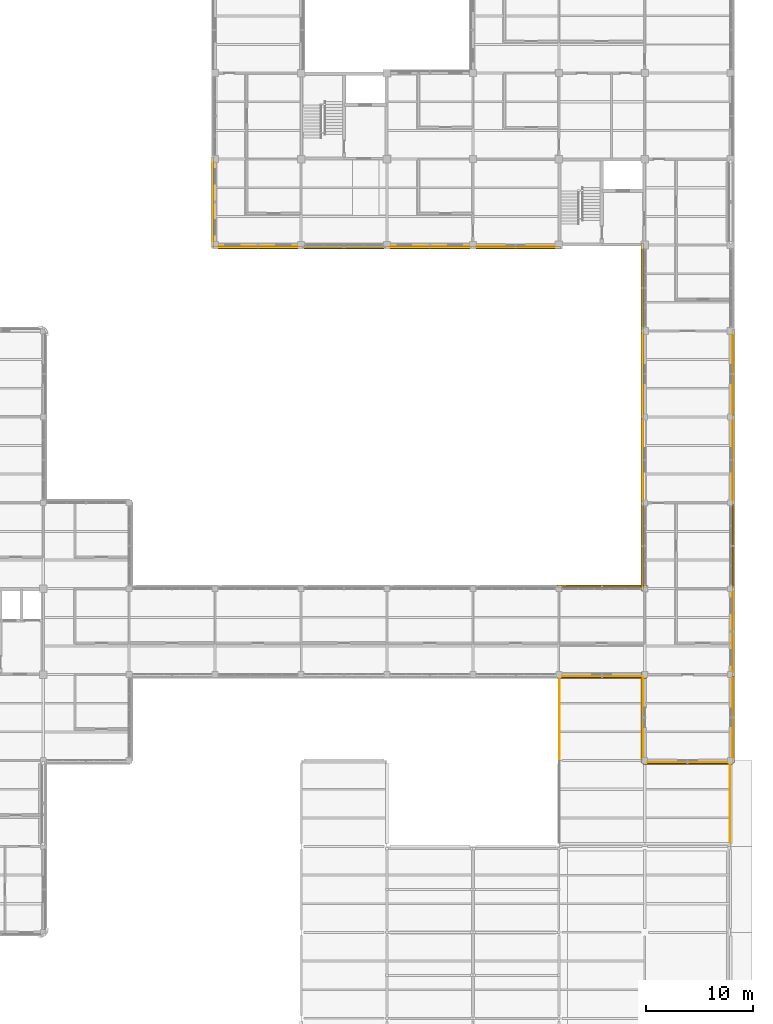
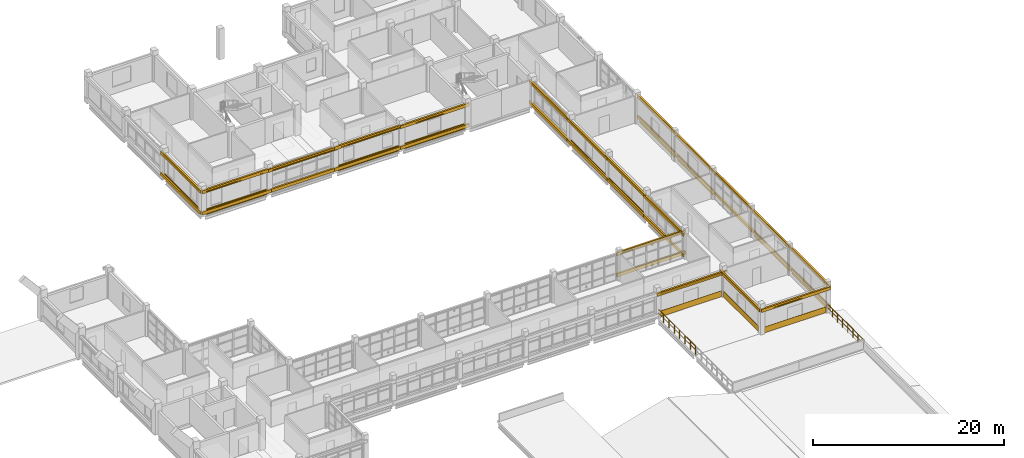
# One storey, part 89 of 92: 46 coverings, 18 shading devices, 2 railings.
"""IFC4 building model written with IfcOpenShell, lengths in metres."""

from ifc_helpers import new_model, si_unit, derived_unit, direction, frame, origin, origin_2d, place, context, subcontext, project, spatial, rectangle, circle, extrude, material, layer, layer_set, material_profile, profile_set, type_object, element, save


model = new_model("IFC4")

# Units and contexts
model_context = context("Model", 3, precision=1e-05, world=origin(), true_north=direction((0.0, 1.0)))
body_context = subcontext(model_context, "Body", "Model", "MODEL_VIEW")
ifc_project = project(units=[si_unit("LENGTHUNIT", "METRE"), si_unit("AREAUNIT", "SQUARE_METRE"), si_unit("VOLUMEUNIT", "CUBIC_METRE"), si_unit("PLANEANGLEUNIT", "RADIAN"), si_unit("MASSUNIT", "GRAM", prefix="KILO"), derived_unit("THERMALTRANSMITTANCEUNIT", [(si_unit("MASSUNIT", "GRAM", prefix="KILO"), 1), (si_unit("TIMEUNIT", "SECOND"), -3), (si_unit("THERMODYNAMICTEMPERATUREUNIT", "KELVIN"), -1)])], contexts=[model_context])

# Site, building, storey
site_placement = place(None, origin())
site = spatial("IfcSite", under=ifc_project, at=site_placement, CompositionType="ELEMENT")
building_placement = place(site_placement, origin())
building = spatial("IfcBuilding", under=site, at=building_placement, Name="Veyamyaing Civic Hall", CompositionType="ELEMENT")
storey_placement = place(building_placement, frame((0.0, 0.0, 17.820068359375)))
storey = spatial("IfcBuildingStorey", under=building, at=storey_placement, Name="L04", CompositionType="ELEMENT", Elevation=17.820068359375)

# Coverings
ifc_material_1 = material(Name="Buff sandstone ashlar cladding", Category="masonry")
ifc_layer_1 = layer(ifc_material_1, 0.050048828125, Name="Buff sandstone ashlar cladding")
ifc_layer_set_1 = layer_set([ifc_layer_1], Name="Buff sandstone ashlar cladding")
covering_type_1 = type_object("IfcCoveringType", Name="CL-01", PredefinedType="CLADDING", material=ifc_layer_set_1)
for number, where, z_axis, x_axis, name in (
    (1, (132.0, 87.839111328125, 0.044921875), (0.0, 0.0, 1.0), (1.0, 0.0, 0.0), "Facade spandrel cladding CL-01 L04 S 17.12"),
    (2, (127.839111328125, 92.0, 0.044921875), (0.0, 0.0, 1.0), (0.0, 1.0, 0.0), "Facade spandrel cladding CL-01 L04 W 17.12"),
    (3, (148.0, 87.839111328125, 0.044921875), (0.0, 0.0, 1.0), (1.0, 0.0, 0.0), "Facade spandrel cladding CL-01 L04 S 19.12"),
):
    element("IfcCovering", number, at=place(storey_placement, frame(where, z_axis=z_axis, x_axis=x_axis)), inside=storey, type_object=covering_type_1, Name=name, PredefinedType="CLADDING", context=body_context, shape_type="SweptSolid", body=[
        extrude(rectangle(XDim=7.300048828125, YDim=0.050048828125, at=origin_2d()), origin(), (0.0, 0.0, 1.0), 0.75),
    ])
for number, where, z_axis, x_axis, name in (
    (4, (176.160888671875, 52.0, 0.044921875), (0.0, 0.0, 1.0), (0.0, 1.0, 0.0), "Facade spandrel cladding CL-01 L04 E 22.7"),
    (5, (167.839111328125, 68.0, 0.044921875), (0.0, 0.0, 1.0), (0.0, 1.0, 0.0), "Facade spandrel cladding CL-01 L04 W 22.9"),
    (6, (176.160888671875, 68.0, 0.044921875), (0.0, 0.0, 1.0), (0.0, 1.0, 0.0), "Facade spandrel cladding CL-01 L04 E 22.9"),
):
    element("IfcCovering", number, at=place(storey_placement, frame(where, z_axis=z_axis, x_axis=x_axis)), inside=storey, type_object=covering_type_1, Name=name, PredefinedType="CLADDING", context=body_context, shape_type="SweptSolid", body=[
        extrude(rectangle(XDim=7.39990234375, YDim=0.050048828125, at=origin_2d()), origin(), (0.0, 0.0, 1.0), 0.75),
    ])
ifc_material_2 = material(Name="Turquoise glazed ceramic tile cladding", Category="masonry")
ifc_layer_2 = layer(ifc_material_2, 0.034912109375, Name="Turquoise glazed ceramic tile cladding")
ifc_layer_set_2 = layer_set([ifc_layer_2], Name="Turquoise glazed ceramic tile cladding")
covering_type_2 = type_object("IfcCoveringType", Name="CL-02", PredefinedType="CLADDING", material=ifc_layer_set_2)
covering_placement = place(storey_placement, frame((155.987548828125, 87.846435546875, 0.044921875), z_axis=(0.0, 0.0, 1.0), x_axis=(1.0, 0.0, 0.0)))
element("IfcCovering", 7, at=covering_placement, inside=storey, type_object=covering_type_2, Name="Facade spandrel cladding CL-02 L04 S 20.12", PredefinedType="CLADDING", context=body_context, shape_type="SweptSolid", body=[
    extrude(rectangle(XDim=7.27490234375, YDim=0.034912109375, at=origin_2d()), origin(), (0.0, 0.0, 1.0), 0.75),
])
for number, where, z_axis, x_axis, name in (
    (8, (164.0, 47.846435546875, 0.044921875), (0.0, 0.0, 1.0), (1.0, 0.0, 0.0), "Facade spandrel cladding CL-02 L04 S 21.7"),
    (9, (172.0, 39.846435546875, 0.044921875), (0.0, 0.0, 1.0), (1.0, 0.0, 0.0), "Facade spandrel cladding CL-02 L04 S 22.6"),
    (10, (167.846435546875, 44.0, 0.044921875), (0.0, 0.0, 1.0), (0.0, 1.0, 0.0), "Facade spandrel cladding CL-02 L04 W 22.6"),
    (11, (176.153564453125, 44.0, 0.044921875), (0.0, 0.0, 1.0), (0.0, 1.0, 0.0), "Facade spandrel cladding CL-02 L04 E 22.6"),
):
    element("IfcCovering", number, at=place(storey_placement, frame(where, z_axis=z_axis, x_axis=x_axis)), inside=storey, type_object=covering_type_2, Name=name, PredefinedType="CLADDING", context=body_context, shape_type="SweptSolid", body=[
        extrude(rectangle(XDim=7.39990234375, YDim=0.034912109375, at=origin_2d()), origin(), (0.0, 0.0, 1.0), 0.75),
    ])
for number, where, z_axis, x_axis, name in (
    (12, (167.846435546875, 75.97509765625, 0.044921875), (0.0, 0.0, 1.0), (0.0, 1.0, 0.0), "Facade spandrel cladding CL-02 L04 W 22.10"),
    (13, (176.153564453125, 75.97509765625, 0.044921875), (0.0, 0.0, 1.0), (0.0, 1.0, 0.0), "Facade spandrel cladding CL-02 L04 E 22.10"),
):
    element("IfcCovering", number, at=place(storey_placement, frame(where, z_axis=z_axis, x_axis=x_axis)), inside=storey, type_object=covering_type_2, Name=name, PredefinedType="CLADDING", context=body_context, shape_type="SweptSolid", body=[
        extrude(rectangle(XDim=7.35009765625, YDim=0.034912109375, at=origin_2d()), origin(), (0.0, 0.0, 1.0), 0.75),
    ])
ifc_material_3 = material(Name="White powder-coated aluminium 6063-T6", Category="aluminium")
ifc_layer_3 = layer(ifc_material_3, 0.2099609375, Name="White powder-coated aluminium 6063-T6")
ifc_layer_set_3 = layer_set([ifc_layer_3], Name="White powder-coated aluminium 6063-T6")
covering_type_3 = type_object("IfcCoveringType", Name="CL-03", PredefinedType="CLADDING", material=ifc_layer_set_3)
for number, where, z_axis, x_axis, name in (
    (14, (132.0, 87.760009765625, 2.9970703125), (0.0, 0.0, 1.0), (1.0, 0.0, 0.0), "Continuous white head fascia ribbon CL-03 L04 S 17.12"),
    (15, (132.0, 87.760009765625, 0.280029296875), (0.0, 0.0, 1.0), (1.0, 0.0, 0.0), "Continuous white sill fascia ribbon CL-03 L04 S 17.12"),
    (16, (127.760009765625, 92.0, 2.9970703125), (0.0, 0.0, 1.0), (0.0, 1.0, 0.0), "Continuous white head fascia ribbon CL-03 L04 W 17.12"),
    (17, (127.760009765625, 92.0, 0.280029296875), (0.0, 0.0, 1.0), (0.0, 1.0, 0.0), "Continuous white sill fascia ribbon CL-03 L04 W 17.12"),
    (18, (140.0, 87.760009765625, 2.929931640625), (0.0, 0.0, 1.0), (1.0, 0.0, 0.0), "Continuous white head fascia ribbon CL-03 L04 S 18.12"),
    (19, (140.0, 87.760009765625, 0.280029296875), (0.0, 0.0, 1.0), (1.0, 0.0, 0.0), "Continuous white sill fascia ribbon CL-03 L04 S 18.12"),
    (20, (148.0, 87.760009765625, 2.993896484375), (0.0, 0.0, 1.0), (1.0, 0.0, 0.0), "Continuous white head fascia ribbon CL-03 L04 S 19.12"),
    (21, (148.0, 87.760009765625, 0.280029296875), (0.0, 0.0, 1.0), (1.0, 0.0, 0.0), "Continuous white sill fascia ribbon CL-03 L04 S 19.12"),
    (22, (156.0, 87.760009765625, 2.93408203125), (0.0, 0.0, 1.0), (1.0, 0.0, 0.0), "Continuous white head fascia ribbon CL-03 L04 S 20.12"),
    (23, (156.0, 87.760009765625, 0.280029296875), (0.0, 0.0, 1.0), (1.0, 0.0, 0.0), "Continuous white sill fascia ribbon CL-03 L04 S 20.12"),
    (24, (164.0, 47.760009765625, 2.908935546875), (0.0, 0.0, 1.0), (1.0, 0.0, 0.0), "Continuous white head fascia ribbon CL-03 L04 S 21.7"),
    (25, (164.0, 56.239990234375, 2.971923828125), (0.0, 0.0, 1.0), (1.0, 0.0, 0.0), "Continuous white head fascia ribbon CL-03 L04 N 21.7"),
    (26, (164.0, 56.239990234375, 0.280029296875), (0.0, 0.0, 1.0), (1.0, 0.0, 0.0), "Continuous white sill fascia ribbon CL-03 L04 N 21.7"),
    (27, (172.0, 39.760009765625, 2.908935546875), (0.0, 0.0, 1.0), (1.0, 0.0, 0.0), "Continuous white head fascia ribbon CL-03 L04 S 22.6"),
    (28, (167.760009765625, 44.0, 2.908935546875), (0.0, 0.0, 1.0), (0.0, 1.0, 0.0), "Continuous white head fascia ribbon CL-03 L04 W 22.6"),
    (29, (176.239990234375, 44.0, 2.971923828125), (0.0, 0.0, 1.0), (0.0, 1.0, 0.0), "Continuous white head fascia ribbon CL-03 L04 E 22.6"),
    (30, (176.239990234375, 44.0, 0.280029296875), (0.0, 0.0, 1.0), (0.0, 1.0, 0.0), "Continuous white sill fascia ribbon CL-03 L04 E 22.6"),
    (31, (176.239990234375, 52.0, 2.905029296875), (0.0, 0.0, 1.0), (0.0, 1.0, 0.0), "Continuous white head fascia ribbon CL-03 L04 E 22.7"),
    (32, (176.239990234375, 52.0, 0.280029296875), (0.0, 0.0, 1.0), (0.0, 1.0, 0.0), "Continuous white sill fascia ribbon CL-03 L04 E 22.7"),
    (33, (167.760009765625, 60.0, 2.905029296875), (0.0, 0.0, 1.0), (0.0, 1.0, 0.0), "Continuous white head fascia ribbon CL-03 L04 W 22.8"),
    (34, (167.760009765625, 60.0, 0.280029296875), (0.0, 0.0, 1.0), (0.0, 1.0, 0.0), "Continuous white sill fascia ribbon CL-03 L04 W 22.8"),
    (35, (176.239990234375, 60.0, 2.968994140625), (0.0, 0.0, 1.0), (0.0, 1.0, 0.0), "Continuous white head fascia ribbon CL-03 L04 E 22.8"),
    (36, (176.239990234375, 60.0, 0.280029296875), (0.0, 0.0, 1.0), (0.0, 1.0, 0.0), "Continuous white sill fascia ribbon CL-03 L04 E 22.8"),
    (37, (167.760009765625, 68.0, 2.968994140625), (0.0, 0.0, 1.0), (0.0, 1.0, 0.0), "Continuous white head fascia ribbon CL-03 L04 W 22.9"),
    (38, (167.760009765625, 68.0, 0.280029296875), (0.0, 0.0, 1.0), (0.0, 1.0, 0.0), "Continuous white sill fascia ribbon CL-03 L04 W 22.9"),
    (39, (176.239990234375, 68.0, 2.908935546875), (0.0, 0.0, 1.0), (0.0, 1.0, 0.0), "Continuous white head fascia ribbon CL-03 L04 E 22.9"),
    (40, (176.239990234375, 68.0, 0.280029296875), (0.0, 0.0, 1.0), (0.0, 1.0, 0.0), "Continuous white sill fascia ribbon CL-03 L04 E 22.9"),
    (41, (167.760009765625, 76.0, 2.928955078125), (0.0, 0.0, 1.0), (0.0, 1.0, 0.0), "Continuous white head fascia ribbon CL-03 L04 W 22.10"),
    (42, (167.760009765625, 76.0, 0.280029296875), (0.0, 0.0, 1.0), (0.0, 1.0, 0.0), "Continuous white sill fascia ribbon CL-03 L04 W 22.10"),
    (43, (176.239990234375, 76.0, 2.991943359375), (0.0, 0.0, 1.0), (0.0, 1.0, 0.0), "Continuous white head fascia ribbon CL-03 L04 E 22.10"),
    (44, (176.239990234375, 76.0, 0.280029296875), (0.0, 0.0, 1.0), (0.0, 1.0, 0.0), "Continuous white sill fascia ribbon CL-03 L04 E 22.10"),
    (45, (167.760009765625, 84.0, 2.991943359375), (0.0, 0.0, 1.0), (0.0, 1.0, 0.0), "Continuous white head fascia ribbon CL-03 L04 W 22.11"),
    (46, (167.760009765625, 84.0, 0.280029296875), (0.0, 0.0, 1.0), (0.0, 1.0, 0.0), "Continuous white sill fascia ribbon CL-03 L04 W 22.11"),
):
    element("IfcCovering", number, at=place(storey_placement, frame(where, z_axis=z_axis, x_axis=x_axis)), inside=storey, type_object=covering_type_3, Name=name, PredefinedType="CLADDING", context=body_context, shape_type="SweptSolid", body=[
        extrude(rectangle(XDim=8.360107421875, YDim=0.2099609375, at=origin_2d()), origin(), (0.0, 0.0, 1.0), 0.39990234375),
    ])

# Railings
ifc_material_4 = material(Name="Steel S355J2", Category="steel")
railing_type = type_object("IfcRailingType", Name="RL-01", PredefinedType="BALUSTRADE", material=ifc_material_4)
railing_1_placement = place(storey_placement, frame((160.080078125, 40.080078125, 0.0)))
element("IfcRailing", 47, at=railing_1_placement, inside=storey, type_object=railing_type, Name="Planted terrace balustrade RL-01 L04.2", PredefinedType="BALUSTRADE", context=body_context, shape_type="SweptSolid", body=[
    extrude(circle(Radius=0.02392578125, at=origin_2d()), frame((0.0, 0.0, 1.076171875), z_axis=(0.0, 1.0, 0.0), x_axis=(-1.0, 0.0, 0.0)), (0.0, 0.0, 1.0), 7.83984375),
    extrude(circle(Radius=0.01416015625, at=origin_2d()), frame((0.0, 0.0, 0.572021484375), z_axis=(0.0, 1.0, 0.0), x_axis=(-1.0, 0.0, 0.0)), (0.0, 0.0, 1.0), 7.83984375),
    extrude(circle(Radius=0.02099609375, at=origin_2d()), origin(), (0.0, 0.0, 1.0), 1.052001953125),
    extrude(circle(Radius=0.02099609375, at=origin_2d()), frame((0.0, 1.119873046875, 0.0)), (0.0, 0.0, 1.0), 1.052001953125),
    extrude(circle(Radius=0.02099609375, at=origin_2d()), frame((0.0, 2.239990234375, 0.0)), (0.0, 0.0, 1.0), 1.052001953125),
    extrude(circle(Radius=0.02099609375, at=origin_2d()), frame((0.0, 3.35986328125, 0.0)), (0.0, 0.0, 1.0), 1.052001953125),
    extrude(circle(Radius=0.02099609375, at=origin_2d()), frame((0.0, 4.47998046875, 0.0)), (0.0, 0.0, 1.0), 1.052001953125),
    extrude(circle(Radius=0.02099609375, at=origin_2d()), frame((0.0, 5.599853515625, 0.0)), (0.0, 0.0, 1.0), 1.052001953125),
    extrude(circle(Radius=0.02099609375, at=origin_2d()), frame((0.0, 6.719970703125, 0.0)), (0.0, 0.0, 1.0), 1.052001953125),
    extrude(circle(Radius=0.02099609375, at=origin_2d()), frame((0.0, 7.83984375, 0.0)), (0.0, 0.0, 1.0), 1.052001953125),
])
railing_2_placement = place(storey_placement, frame((175.919921875, 32.360107421875, 0.0)))
element("IfcRailing", 48, at=railing_2_placement, inside=storey, type_object=railing_type, Name="Planted terrace balustrade RL-01 L04.3", PredefinedType="BALUSTRADE", context=body_context, shape_type="SweptSolid", body=[
    extrude(circle(Radius=0.02392578125, at=origin_2d()), frame((0.0, 0.0, 1.076171875), z_axis=(0.0, 1.0, 0.0), x_axis=(-1.0, 0.0, 0.0)), (0.0, 0.0, 1.0), 7.559814453125),
    extrude(circle(Radius=0.01416015625, at=origin_2d()), frame((0.0, 0.0, 0.572021484375), z_axis=(0.0, 1.0, 0.0), x_axis=(-1.0, 0.0, 0.0)), (0.0, 0.0, 1.0), 7.559814453125),
    extrude(circle(Radius=0.02099609375, at=origin_2d()), origin(), (0.0, 0.0, 1.0), 1.052001953125),
    extrude(circle(Radius=0.02099609375, at=origin_2d()), frame((0.0, 1.080078125, 0.0)), (0.0, 0.0, 1.0), 1.052001953125),
    extrude(circle(Radius=0.02099609375, at=origin_2d()), frame((0.0, 2.159912109375, 0.0)), (0.0, 0.0, 1.0), 1.052001953125),
    extrude(circle(Radius=0.02099609375, at=origin_2d()), frame((0.0, 3.239990234375, 0.0)), (0.0, 0.0, 1.0), 1.052001953125),
    extrude(circle(Radius=0.02099609375, at=origin_2d()), frame((0.0, 4.31982421875, 0.0)), (0.0, 0.0, 1.0), 1.052001953125),
    extrude(circle(Radius=0.02099609375, at=origin_2d()), frame((0.0, 5.39990234375, 0.0)), (0.0, 0.0, 1.0), 1.052001953125),
    extrude(circle(Radius=0.02099609375, at=origin_2d()), frame((0.0, 6.479736328125, 0.0)), (0.0, 0.0, 1.0), 1.052001953125),
    extrude(circle(Radius=0.02099609375, at=origin_2d()), frame((0.0, 7.559814453125, 0.0)), (0.0, 0.0, 1.0), 1.052001953125),
])

# Shading devices
ifc_material_profile = material_profile(ifc_material_3, circle(Radius=0.090087890625, at=origin_2d()), Name="SHADE-TUBE-180")
ifc_profile_set = profile_set([ifc_material_profile], Name="White powder-coated aluminium 6063-T6")
shading_device_type = type_object("IfcShadingDeviceType", Name="SH-02", PredefinedType="USERDEFINED", material=ifc_profile_set)
for number, where, z_axis, x_axis, name in (
    (49, (128.31005859375, 87.760009765625, 3.156982421875), (1.0, 0.0, 0.0), (0.0, 1.0, 0.0), "Horizontal white sunshade ribbon SH-02 L04 S 17.12"),
    (50, (127.760009765625, 88.31005859375, 3.156982421875), (0.0, 1.0, 0.0), (-1.0, 0.0, 0.0), "Horizontal white sunshade ribbon SH-02 L04 W 17.12"),
    (51, (136.31005859375, 87.760009765625, 3.08984375), (1.0, 0.0, 0.0), (0.0, 1.0, 0.0), "Horizontal white sunshade ribbon SH-02 L04 S 18.12"),
    (52, (144.31005859375, 87.760009765625, 3.154052734375), (1.0, 0.0, 0.0), (0.0, 1.0, 0.0), "Horizontal white sunshade ribbon SH-02 L04 S 19.12"),
):
    element("IfcShadingDevice", number, at=place(storey_placement, frame(where, z_axis=z_axis, x_axis=x_axis)), inside=storey, type_object=shading_device_type, Name=name, ObjectType="SUNSHADE", PredefinedType="USERDEFINED", context=body_context, shape_type="SweptSolid", body=[
        extrude(circle(Radius=0.090087890625, at=origin_2d()), origin(), (0.0, 0.0, 1.0), 7.3798828125),
    ])
shading_device_1_placement = place(storey_placement, frame((152.31005859375, 87.760009765625, 3.093994140625), z_axis=(1.0, 0.0, 0.0), x_axis=(0.0, 1.0, 0.0)))
element("IfcShadingDevice", 53, at=shading_device_1_placement, inside=storey, type_object=shading_device_type, Name="Horizontal white sunshade ribbon SH-02 L04 S 20.12", ObjectType="SUNSHADE", PredefinedType="USERDEFINED", context=body_context, shape_type="SweptSolid", body=[
    extrude(circle(Radius=0.090087890625, at=origin_2d()), origin(), (0.0, 0.0, 1.0), 7.35498046875),
])
for number, where, z_axis, x_axis, name in (
    (54, (160.260009765625, 47.760009765625, 3.06884765625), (1.0, 0.0, 0.0), (0.0, 1.0, 0.0), "Horizontal white sunshade ribbon SH-02 L04 S 21.7"),
    (55, (160.260009765625, 56.239990234375, 3.1318359375), (1.0, 0.0, 0.0), (0.0, 1.0, 0.0), "Horizontal white sunshade ribbon SH-02 L04 N 21.7"),
    (56, (168.260009765625, 39.760009765625, 3.06884765625), (1.0, 0.0, 0.0), (0.0, 1.0, 0.0), "Horizontal white sunshade ribbon SH-02 L04 S 22.6"),
    (57, (167.760009765625, 40.260009765625, 3.06884765625), (0.0, 1.0, 0.0), (-1.0, 0.0, 0.0), "Horizontal white sunshade ribbon SH-02 L04 W 22.6"),
    (58, (176.239990234375, 40.260009765625, 3.1318359375), (0.0, 1.0, 0.0), (-1.0, 0.0, 0.0), "Horizontal white sunshade ribbon SH-02 L04 E 22.6"),
    (59, (176.239990234375, 48.260009765625, 3.06494140625), (0.0, 1.0, 0.0), (-1.0, 0.0, 0.0), "Horizontal white sunshade ribbon SH-02 L04 E 22.7"),
    (60, (167.760009765625, 56.260009765625, 3.06494140625), (0.0, 1.0, 0.0), (-1.0, 0.0, 0.0), "Horizontal white sunshade ribbon SH-02 L04 W 22.8"),
    (61, (176.239990234375, 56.260009765625, 3.12890625), (0.0, 1.0, 0.0), (-1.0, 0.0, 0.0), "Horizontal white sunshade ribbon SH-02 L04 E 22.8"),
    (62, (167.760009765625, 64.260009765625, 3.12890625), (0.0, 1.0, 0.0), (-1.0, 0.0, 0.0), "Horizontal white sunshade ribbon SH-02 L04 W 22.9"),
    (63, (176.239990234375, 64.260009765625, 3.06884765625), (0.0, 1.0, 0.0), (-1.0, 0.0, 0.0), "Horizontal white sunshade ribbon SH-02 L04 E 22.9"),
):
    element("IfcShadingDevice", number, at=place(storey_placement, frame(where, z_axis=z_axis, x_axis=x_axis)), inside=storey, type_object=shading_device_type, Name=name, ObjectType="SUNSHADE", PredefinedType="USERDEFINED", context=body_context, shape_type="SweptSolid", body=[
        extrude(circle(Radius=0.090087890625, at=origin_2d()), origin(), (0.0, 0.0, 1.0), 7.47998046875),
    ])
for number, where, z_axis, x_axis, name in (
    (64, (167.760009765625, 72.260009765625, 3.0888671875), (0.0, 1.0, 0.0), (-1.0, 0.0, 0.0), "Horizontal white sunshade ribbon SH-02 L04 W 22.10"),
    (65, (176.239990234375, 72.260009765625, 3.15185546875), (0.0, 1.0, 0.0), (-1.0, 0.0, 0.0), "Horizontal white sunshade ribbon SH-02 L04 E 22.10"),
):
    element("IfcShadingDevice", number, at=place(storey_placement, frame(where, z_axis=z_axis, x_axis=x_axis)), inside=storey, type_object=shading_device_type, Name=name, ObjectType="SUNSHADE", PredefinedType="USERDEFINED", context=body_context, shape_type="SweptSolid", body=[
        extrude(circle(Radius=0.090087890625, at=origin_2d()), origin(), (0.0, 0.0, 1.0), 7.429931640625),
    ])
shading_device_2_placement = place(storey_placement, frame((167.760009765625, 80.31005859375, 3.15185546875), z_axis=(0.0, 1.0, 0.0), x_axis=(-1.0, 0.0, 0.0)))
element("IfcShadingDevice", 66, at=shading_device_2_placement, inside=storey, type_object=shading_device_type, Name="Horizontal white sunshade ribbon SH-02 L04 W 22.11", ObjectType="SUNSHADE", PredefinedType="USERDEFINED", context=body_context, shape_type="SweptSolid", body=[
    extrude(circle(Radius=0.090087890625, at=origin_2d()), origin(), (0.0, 0.0, 1.0), 7.35498046875),
])

save(model, "model.ifc")
